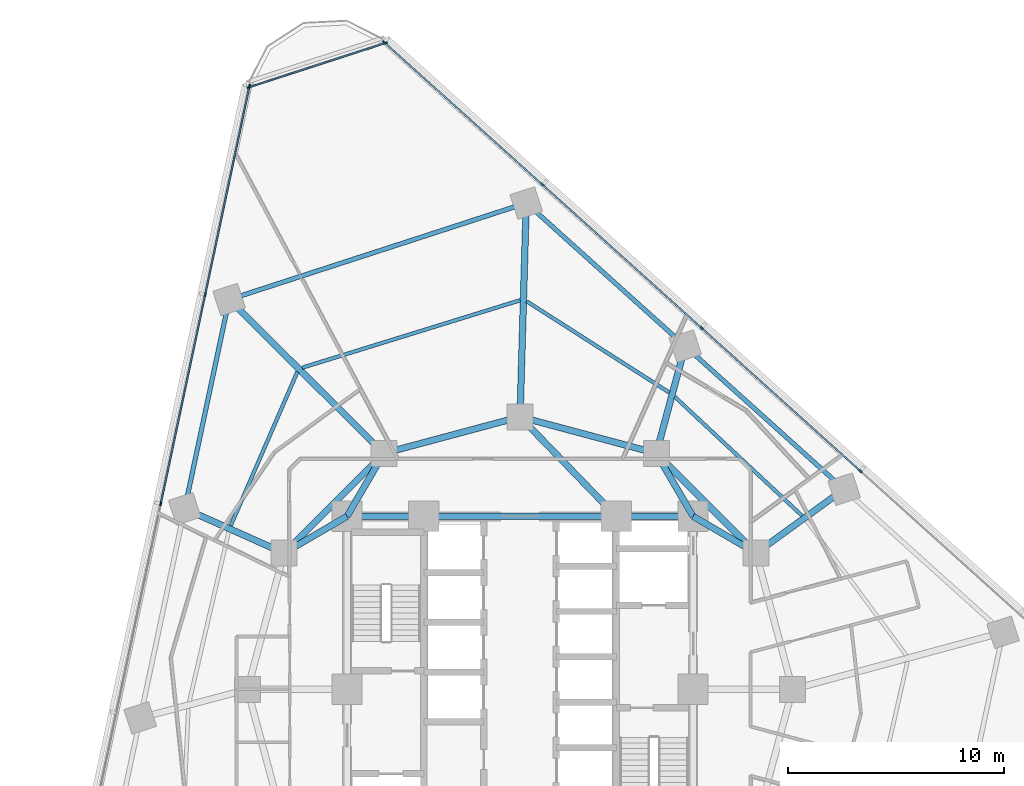
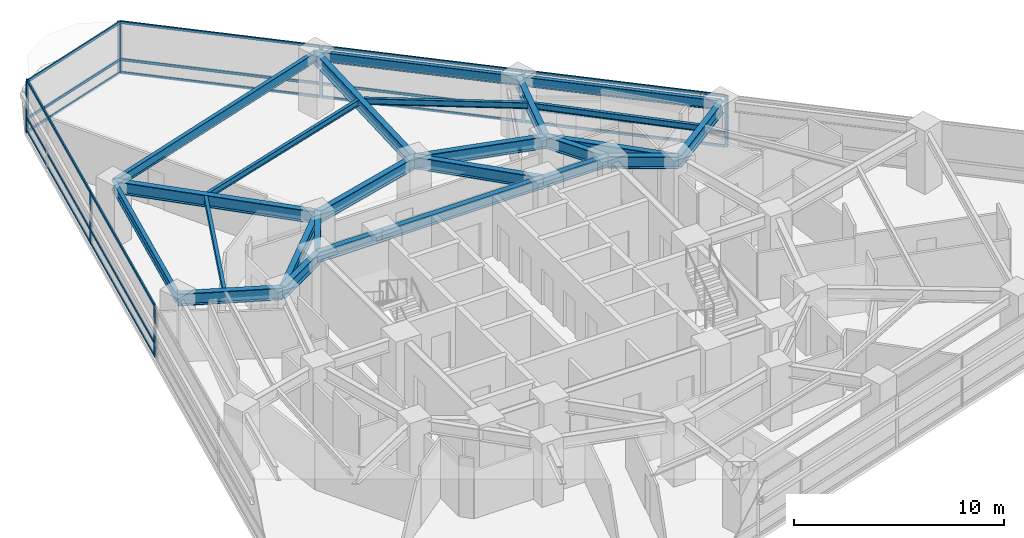
# One storey, part 5 of 13: 27 members, 25 beams, 3 elements without a shape of their own.
"""IFC4 building model written with IfcOpenShell, lengths in metres."""

import ifcopenshell
import ifcopenshell.guid

model = None  # the IFC model being written
_history = None  # IfcOwnerHistory: only IFC2X3 demands one
_inside = {}  # id of a spatial element -> (the spatial element, [elements in it])
_under = {}  # id of a project, library or spatial element -> (it, [spatial elements below it])
_declared = {}  # id of a project -> (the project, [libraries it declares])
_typed = {}  # id of a type object -> (the type object, [elements of that type])
_made_of = {}  # id of a material, layer set ... -> (it, [elements and type objects made of it])


def new_model(schema):
    """Start an empty IFC model of exactly this schema.

    Asked for "IFC4X3", IfcOpenShell would pick the latest addendum, in which some entities
    have other attributes; the version numbers below select the first issue.
    IFC2X3 requires an IfcOwnerHistory on every rooted entity: one is made here for all.
    """
    global model, _history
    if schema == "IFC4X3":
        model = ifcopenshell.file(schema_version=(4, 3, 0, 0))
    else:
        model = ifcopenshell.file(schema=schema)
    _inside.clear()
    _under.clear()
    _declared.clear()
    _typed.clear()
    _made_of.clear()
    _history = None
    if model.schema == "IFC2X3":
        org = make("IfcOrganization", Name="unknown")
        user = make(
            "IfcPersonAndOrganization",
            ThePerson=make("IfcPerson", FamilyName="unknown"),
            TheOrganization=org,
        )
        app = make(
            "IfcApplication",
            ApplicationDeveloper=org,
            Version="unknown",
            ApplicationFullName="unknown",
            ApplicationIdentifier="unknown",
        )
        _history = make(
            "IfcOwnerHistory",
            OwningUser=user,
            OwningApplication=app,
            ChangeAction="ADDED",
            CreationDate=0,
        )
    return model


def make(cls, **values):
    """One entity of the class cls with the attributes given. An attribute that is None is left unset."""
    return model.create_entity(
        cls, **{name: value for name, value in values.items() if value is not None}
    )


def rooted(cls, **values):
    """An entity with a GlobalId (a new one), such as an element, a storey or a relation."""
    return make(cls, GlobalId=ifcopenshell.guid.new(), OwnerHistory=_history, **values)


def si_unit(unit_type, name, prefix=None):
    """IfcSIUnit, for example si_unit("LENGTHUNIT", "METRE", prefix="MILLI")."""
    return make("IfcSIUnit", UnitType=unit_type, Prefix=prefix, Name=name)


def assignment(units):
    """IfcUnitAssignment: the units of a project."""
    return None if units is None else make("IfcUnitAssignment", Units=units)


def point(xyz):
    """IfcCartesianPoint."""
    return None if xyz is None else make("IfcCartesianPoint", Coordinates=xyz)


def direction(xyz):
    """IfcDirection."""
    return None if xyz is None else make("IfcDirection", DirectionRatios=xyz)


def frame(location, z_axis=None, x_axis=None):
    """IfcAxis2Placement3D, a coordinate frame: its origin and axes. An axis left out is left unset."""
    return make(
        "IfcAxis2Placement3D",
        Location=point(location),
        Axis=direction(z_axis),
        RefDirection=direction(x_axis),
    )


def frame_2d(location, x_axis=None):
    """IfcAxis2Placement2D, a coordinate frame in the plane: its origin and x axis."""
    return make(
        "IfcAxis2Placement2D", Location=point(location), RefDirection=direction(x_axis)
    )


def origin():
    """The frame at (0, 0, 0) with its axes left unset."""
    return frame((0.0, 0.0, 0.0))


def origin_2d():
    """The frame at (0, 0) in the plane with its x axis left unset."""
    return frame_2d((0.0, 0.0))


def place(relative_to, where):
    """IfcLocalPlacement: puts the frame where relative to a parent placement (None: the world)."""
    return make(
        "IfcLocalPlacement", PlacementRelTo=relative_to, RelativePlacement=where
    )


def context(
    kind, dimensions, precision=None, world=None, true_north=None, identifier=None
):
    """IfcGeometricRepresentationContext, for example the 3D "Model" context."""
    return make(
        "IfcGeometricRepresentationContext",
        ContextIdentifier=identifier,
        ContextType=kind,
        CoordinateSpaceDimension=dimensions,
        Precision=precision,
        WorldCoordinateSystem=world,
        TrueNorth=true_north,
    )


def subcontext(parent, identifier, kind, view, scale=None):
    """IfcGeometricRepresentationSubContext, for example "Body" below "Model"."""
    return make(
        "IfcGeometricRepresentationSubContext",
        ContextIdentifier=identifier,
        ContextType=kind,
        ParentContext=parent,
        TargetScale=scale,
        TargetView=view,
    )


def project(units=None, contexts=None):
    """IfcProject with its units and contexts."""
    return rooted(
        "IfcProject",
        Name="project",
        RepresentationContexts=contexts,
        UnitsInContext=assignment(units),
    )


def spatial(cls, under=None, at=None, **own):
    """A site, building, storey or space (cls), placed at a placement, below another one or the project."""
    s = rooted(cls, ObjectPlacement=at, **own)
    if under is not None:
        _under.setdefault(under.id(), (under, []))[1].append(s)
    return s


def profile(cls, at=None, kind="AREA", **sizes):
    """A parametric profile (cls). Its sizes go by their IFC names, for example OverallWidth=200.0."""
    return make(cls, ProfileType=kind, Position=at, **sizes)


def rectangle(**sizes):
    """IfcRectangleProfileDef."""
    return profile("IfcRectangleProfileDef", **sizes)


def i_section(**sizes):
    """IfcIShapeProfileDef."""
    return profile("IfcIShapeProfileDef", **sizes)


def extrude(swept, where, along, depth):
    """IfcExtrudedAreaSolid: the profile swept, set in the frame where, extruded along a direction by depth."""
    return make(
        "IfcExtrudedAreaSolid",
        SweptArea=swept,
        Position=where,
        ExtrudedDirection=direction(along),
        Depth=depth,
    )


def shape(context_of_items, identifier, shape_type, items):
    """IfcShapeRepresentation: the items that make up one representation, for example the "Body"."""
    return make(
        "IfcShapeRepresentation",
        ContextOfItems=context_of_items,
        RepresentationIdentifier=identifier,
        RepresentationType=shape_type,
        Items=items,
    )


def material(Name=None, Category=None):
    """IfcMaterial."""
    return make("IfcMaterial", Name=Name, Category=Category)


def layer(
    of_material, thickness, ventilated=None, Name=None, Category=None, Priority=None
):
    """IfcMaterialLayer: one layer of a wall or slab, of a material (None: an air gap)."""
    return make(
        "IfcMaterialLayer",
        Material=of_material,
        LayerThickness=thickness,
        IsVentilated=ventilated,
        Name=Name,
        Category=Category,
        Priority=Priority,
    )


def layer_set(layers, Name=None):
    """IfcMaterialLayerSet."""
    return make("IfcMaterialLayerSet", MaterialLayers=layers, LayerSetName=Name)


def material_profile(
    of_material, cross_section, Name=None, Category=None, Priority=None
):
    """IfcMaterialProfile: a cross section and its material."""
    return make(
        "IfcMaterialProfile",
        Name=Name,
        Material=of_material,
        Profile=cross_section,
        Priority=Priority,
        Category=Category,
    )


def profile_set(profiles, Name=None, composite=None):
    """IfcMaterialProfileSet."""
    return make(
        "IfcMaterialProfileSet",
        Name=Name,
        MaterialProfiles=profiles,
        CompositeProfile=composite,
    )


def made_of(thing, what):
    """Note that an element or type object is made of a material, layer set ...; save() writes the relation."""
    if what is not None:
        _made_of.setdefault(what.id(), (what, []))[1].append(thing)
    return thing


def type_object(cls, material=None, **own):
    """A type object (cls), such as IfcWallType, which elements share."""
    return made_of(rooted(cls, **own), material)


def element(
    cls,
    number,
    at=None,
    inside=None,
    cuts=None,
    type_object=None,
    material=None,
    context=None,
    identifier="Body",
    shape_type=None,
    held_by="IfcProductDefinitionShape",
    body=None,
    shapes=None,
    **own,
):
    """One element of the class cls, such as IfcWall. Its Tag is "e" and its number.

    at: its placement. inside: the storey or other place that contains it. cuts: it is an
    opening in that element (IfcRelVoidsElement). A single representation is given by context,
    identifier, shape_type and body (its items); several are given by shapes. held_by: the class
    of the entity that holds the representations. save() writes the other relations.
    """
    e = rooted(cls, Tag="e%d" % number, ObjectPlacement=at, **own)
    if body is not None:
        shapes = [shape(context, identifier, shape_type, body)]
    if shapes is not None:
        e.Representation = make(held_by, Representations=shapes)
    if inside is not None:
        _inside.setdefault(inside.id(), (inside, []))[1].append(e)
    if cuts is not None:
        rooted(
            "IfcRelVoidsElement", RelatingBuildingElement=cuts, RelatedOpeningElement=e
        )
    if type_object is not None:
        _typed.setdefault(type_object.id(), (type_object, []))[1].append(e)
    return made_of(e, material)


def aggregate(whole, parts):
    """IfcRelAggregates: a whole, such as a stair, and the parts it consists of."""
    return rooted("IfcRelAggregates", RelatingObject=whole, RelatedObjects=parts)


def save(model, path):
    """Write the relations noted so far, then the file.

    IfcRelAggregates (storeys below a building ...), IfcRelContainedInSpatialStructure (elements
    in a storey), IfcRelDefinesByType, IfcRelAssociatesMaterial and IfcRelDeclares: one each for
    every whole, place, type object, material and project.
    """
    for whole, parts in _under.values():
        aggregate(whole, parts)
    for where, things in _inside.values():
        rooted(
            "IfcRelContainedInSpatialStructure",
            RelatedElements=things,
            RelatingStructure=where,
        )
    for kind, things in _typed.values():
        rooted("IfcRelDefinesByType", RelatedObjects=things, RelatingType=kind)
    for what, things in _made_of.values():
        rooted("IfcRelAssociatesMaterial", RelatedObjects=things, RelatingMaterial=what)
    for by, libraries in _declared.values():
        rooted("IfcRelDeclares", RelatingContext=by, RelatedDefinitions=libraries)
    model.write(path)


model = new_model("IFC4")

# Units and contexts
model_context = context("Model", 3, precision=1e-05, world=origin(), true_north=direction((0.0, 1.0)))
body_context = subcontext(model_context, "Body", "Model", "MODEL_VIEW")
ifc_project = project(units=[si_unit("LENGTHUNIT", "METRE"), si_unit("AREAUNIT", "SQUARE_METRE"), si_unit("VOLUMEUNIT", "CUBIC_METRE"), si_unit("PLANEANGLEUNIT", "RADIAN"), si_unit("MASSUNIT", "GRAM", prefix="KILO")], contexts=[model_context])

# Site, building, storey
site_placement = place(None, origin())
site = spatial("IfcSite", under=ifc_project, at=site_placement, CompositionType="ELEMENT")
building_placement = place(site_placement, origin())
building = spatial("IfcBuilding", under=site, at=building_placement, Name="Terralouvre Media Tower", CompositionType="ELEMENT")
storey_placement = place(building_placement, frame((0.0, 0.0, 105.10009765625)))
storey = spatial("IfcBuildingStorey", under=building, at=storey_placement, Name="L26", CompositionType="ELEMENT", Elevation=105.10009765625)

# Beams
ifc_material_1 = material(Name="Structural steel S355J2", Category="steel")
ifc_material_profile_1 = material_profile(ifc_material_1, i_section(OverallWidth=0.169921875, OverallDepth=0.360107421875, WebThickness=0.008056640625, FlangeThickness=0.0126953125, at=origin_2d()), Name="IPE 360")
ifc_profile_set_1 = profile_set([ifc_material_profile_1], Name="Structural steel S355J2")
beam_type_1 = type_object("IfcBeamType", Name="Composite Floor Joist J-IPE360 (IPE 360)", PredefinedType="JOIST", material=ifc_profile_set_1)
beam_1_placement = place(storey_placement, frame((13.041259765625, 8.02685546875, 3.31982421875), z_axis=(-0.730741620607, 0.682654146631, 0.0), x_axis=(-0.682654146631, -0.730741620607, 0.0)))
element("IfcBeam", 1, at=beam_1_placement, inside=storey, type_object=beam_type_1, Name="L26 Framing Beam JT-L26-08", PredefinedType="JOIST", context=body_context, shape_type="SweptSolid", body=[
    extrude(i_section(OverallWidth=0.169921875, OverallDepth=0.360107421875, WebThickness=0.008056640625, FlangeThickness=0.0126953125, at=origin_2d()), origin(), (0.0, 0.0, 1.0), 8.05224609375),
])
beam_2_placement = place(storey_placement, frame((6.90380859375, 13.721923828125, 3.31982421875), z_axis=(-0.842395313358, 0.538860033805, 0.0), x_axis=(-0.538860033805, -0.842395313358, 0.0)))
element("IfcBeam", 2, at=beam_2_placement, inside=storey, type_object=beam_type_1, Name="L26 Framing Beam JT-L26-09", PredefinedType="JOIST", context=body_context, shape_type="SweptSolid", body=[
    extrude(i_section(OverallWidth=0.169921875, OverallDepth=0.360107421875, WebThickness=0.008056640625, FlangeThickness=0.0126953125, at=origin_2d()), origin(), (0.0, 0.0, 1.0), 7.8349609375),
])
beam_3_placement = place(storey_placement, frame((0.008544921875, 17.99072265625, 3.31982421875), z_axis=(-0.955322607301, -0.295565079095, 0.0), x_axis=(0.295565079095, -0.955322607301, 0.0)))
element("IfcBeam", 3, at=beam_3_placement, inside=storey, type_object=beam_type_1, Name="L26 Framing Beam JT-L26-10", PredefinedType="JOIST", context=body_context, shape_type="SweptSolid", body=[
    extrude(i_section(OverallWidth=0.169921875, OverallDepth=0.360107421875, WebThickness=0.008056640625, FlangeThickness=0.0126953125, at=origin_2d()), origin(), (0.0, 0.0, 1.0), 10.551513671875),
])
beam_4_placement = place(storey_placement, frame((-10.295166015625, 14.676513671875, 3.31982421875), z_axis=(-0.3977895236, -0.91747669993, 0.0), x_axis=(0.91747669993, -0.3977895236, 0.0)))
element("IfcBeam", 4, at=beam_4_placement, inside=storey, type_object=beam_type_1, Name="L26 Framing Beam JT-L26-11", PredefinedType="JOIST", context=body_context, shape_type="SweptSolid", body=[
    extrude(i_section(OverallWidth=0.169921875, OverallDepth=0.360107421875, WebThickness=0.008056640625, FlangeThickness=0.0126953125, at=origin_2d()), origin(), (0.0, 0.0, 1.0), 7.7509765625),
])

# Curtain wall, members
ifc_material_2 = material(Name="Low-iron laminated double glazing with solar-control coating", Category="glass")
ifc_layer_1 = layer(ifc_material_2, 0.1650390625, Name="Lower Media Tower Unitised Curtain Wall CW-02")
ifc_layer_set_1 = layer_set([ifc_layer_1], Name="Low-iron laminated double glazing with solar-control coating")
curtain_wall_type_1 = type_object("IfcCurtainWallType", Name="Lower Media Tower Unitised Curtain Wall CW-02", PredefinedType="NOTDEFINED", material=ifc_layer_set_1)
curtain_wall_1_placement = place(storey_placement, origin())
curtain_wall_1 = element("IfcCurtainWall", 5, at=curtain_wall_1_placement, inside=storey, type_object=curtain_wall_type_1, Name="L26 Facade Curtain Wall F1", PredefinedType="NOTDEFINED")
ifc_material_3 = material(Name="Anodised extruded aluminium 6063-T6", Category="aluminium")
ifc_material_profile_2 = material_profile(ifc_material_3, rectangle(XDim=0.074951171875, YDim=0.14990234375, at=origin_2d()), Name="ALU 75x150")
ifc_profile_set_2 = profile_set([ifc_material_profile_2], Name="Anodised extruded aluminium 6063-T6")
member_type_1 = type_object("IfcMemberType", Name="Curtain-Wall Horizontal Transom TR-150", PredefinedType="USERDEFINED", material=ifc_profile_set_2)
member_1_placement = place(storey_placement, frame((15.712158203125, 10.117431640625, 0.037353515625), z_axis=(-0.743145676677, 0.669129661005, 0.0), x_axis=(-0.669129661005, -0.743145676677, 0.0)))
member_1 = element("IfcMember", 6, at=member_1_placement, type_object=member_type_1, Name="CW-02 transom 3.1", ObjectType="TRANSOM", PredefinedType="USERDEFINED", context=body_context, shape_type="SweptSolid", body=[
    extrude(rectangle(XDim=0.074951171875, YDim=0.14990234375, at=origin_2d()), origin(), (0.0, 0.0, 1.0), 9.81298828125),
])
member_2_placement = place(storey_placement, frame((15.712158203125, 10.117431640625, 0.7998046875), z_axis=(-0.743145676677, 0.669129661005, 0.0), x_axis=(-0.669129661005, -0.743145676677, 0.0)))
member_2 = element("IfcMember", 7, at=member_2_placement, type_object=member_type_1, Name="CW-02 transom 3.2", ObjectType="TRANSOM", PredefinedType="USERDEFINED", context=body_context, shape_type="SweptSolid", body=[
    extrude(rectangle(XDim=0.074951171875, YDim=0.14990234375, at=origin_2d()), origin(), (0.0, 0.0, 1.0), 9.81298828125),
])
member_3_placement = place(storey_placement, frame((15.712158203125, 10.117431640625, 2.96240234375), z_axis=(-0.743145676677, 0.669129661005, 0.0), x_axis=(-0.669129661005, -0.743145676677, 0.0)))
member_3 = element("IfcMember", 8, at=member_3_placement, type_object=member_type_1, Name="CW-02 transom 3.3", ObjectType="TRANSOM", PredefinedType="USERDEFINED", context=body_context, shape_type="SweptSolid", body=[
    extrude(rectangle(XDim=0.074951171875, YDim=0.14990234375, at=origin_2d()), origin(), (0.0, 0.0, 1.0), 9.81298828125),
])
member_4_placement = place(storey_placement, frame((8.36376953125, 16.733642578125, 0.037353515625), z_axis=(-0.743145676677, 0.669129661005, 0.0), x_axis=(-0.669129661005, -0.743145676677, 0.0)))
member_4 = element("IfcMember", 9, at=member_4_placement, type_object=member_type_1, Name="CW-02 transom 4.1", ObjectType="TRANSOM", PredefinedType="USERDEFINED", context=body_context, shape_type="SweptSolid", body=[
    extrude(rectangle(XDim=0.074951171875, YDim=0.14990234375, at=origin_2d()), origin(), (0.0, 0.0, 1.0), 9.81298828125),
])
member_5_placement = place(storey_placement, frame((8.36376953125, 16.733642578125, 0.7998046875), z_axis=(-0.743145676677, 0.669129661005, 0.0), x_axis=(-0.669129661005, -0.743145676677, 0.0)))
member_5 = element("IfcMember", 10, at=member_5_placement, type_object=member_type_1, Name="CW-02 transom 4.2", ObjectType="TRANSOM", PredefinedType="USERDEFINED", context=body_context, shape_type="SweptSolid", body=[
    extrude(rectangle(XDim=0.074951171875, YDim=0.14990234375, at=origin_2d()), origin(), (0.0, 0.0, 1.0), 9.81298828125),
])
member_6_placement = place(storey_placement, frame((8.36376953125, 16.733642578125, 2.96240234375), z_axis=(-0.743145676677, 0.669129661005, 0.0), x_axis=(-0.669129661005, -0.743145676677, 0.0)))
member_6 = element("IfcMember", 11, at=member_6_placement, type_object=member_type_1, Name="CW-02 transom 4.3", ObjectType="TRANSOM", PredefinedType="USERDEFINED", context=body_context, shape_type="SweptSolid", body=[
    extrude(rectangle(XDim=0.074951171875, YDim=0.14990234375, at=origin_2d()), origin(), (0.0, 0.0, 1.0), 9.81298828125),
])
member_7_placement = place(storey_placement, frame((1.015625, 23.35009765625, 0.037353515625), z_axis=(-0.743150075485, 0.669124775588, 0.0), x_axis=(-0.669124775588, -0.743150075485, 0.0)))
member_7 = element("IfcMember", 12, at=member_7_placement, type_object=member_type_1, Name="CW-02 transom 5.1", ObjectType="TRANSOM", PredefinedType="USERDEFINED", context=body_context, shape_type="SweptSolid", body=[
    extrude(rectangle(XDim=0.074951171875, YDim=0.14990234375, at=origin_2d()), origin(), (0.0, 0.0, 1.0), 9.775390625),
])
member_8_placement = place(storey_placement, frame((1.015625, 23.35009765625, 0.7998046875), z_axis=(-0.743150075485, 0.669124775588, 0.0), x_axis=(-0.669124775588, -0.743150075485, 0.0)))
member_8 = element("IfcMember", 13, at=member_8_placement, type_object=member_type_1, Name="CW-02 transom 5.2", ObjectType="TRANSOM", PredefinedType="USERDEFINED", context=body_context, shape_type="SweptSolid", body=[
    extrude(rectangle(XDim=0.074951171875, YDim=0.14990234375, at=origin_2d()), origin(), (0.0, 0.0, 1.0), 9.775390625),
])
member_9_placement = place(storey_placement, frame((1.015625, 23.35009765625, 2.96240234375), z_axis=(-0.743150075485, 0.669124775588, 0.0), x_axis=(-0.669124775588, -0.743150075485, 0.0)))
member_9 = element("IfcMember", 14, at=member_9_placement, type_object=member_type_1, Name="CW-02 transom 5.3", ObjectType="TRANSOM", PredefinedType="USERDEFINED", context=body_context, shape_type="SweptSolid", body=[
    extrude(rectangle(XDim=0.074951171875, YDim=0.14990234375, at=origin_2d()), origin(), (0.0, 0.0, 1.0), 9.775390625),
])

curtain_wall_2_placement = place(storey_placement, origin())
curtain_wall_2 = element("IfcCurtainWall", 15, at=curtain_wall_2_placement, inside=storey, type_object=curtain_wall_type_1, Name="L26 Facade Curtain Wall F2", PredefinedType="NOTDEFINED")
member_10_placement = place(storey_placement, frame((-12.51416015625, 27.85546875, 0.037353515625), z_axis=(-0.207917001862, -0.978146471821, 0.0), x_axis=(0.978146471821, -0.207917001862, 0.0)))
member_10 = element("IfcMember", 16, at=member_10_placement, type_object=member_type_1, Name="CW-02 transom 1.1", ObjectType="TRANSOM", PredefinedType="USERDEFINED", context=body_context, shape_type="SweptSolid", body=[
    extrude(rectangle(XDim=0.074951171875, YDim=0.14990234375, at=origin_2d()), origin(), (0.0, 0.0, 1.0), 9.775390625),
])
member_11_placement = place(storey_placement, frame((-12.51416015625, 27.85546875, 0.7998046875), z_axis=(-0.207917001862, -0.978146471821, 0.0), x_axis=(0.978146471821, -0.207917001862, 0.0)))
member_11 = element("IfcMember", 17, at=member_11_placement, type_object=member_type_1, Name="CW-02 transom 1.2", ObjectType="TRANSOM", PredefinedType="USERDEFINED", context=body_context, shape_type="SweptSolid", body=[
    extrude(rectangle(XDim=0.074951171875, YDim=0.14990234375, at=origin_2d()), origin(), (0.0, 0.0, 1.0), 9.775390625),
])
member_12_placement = place(storey_placement, frame((-12.51416015625, 27.85546875, 2.96240234375), z_axis=(-0.207917001862, -0.978146471821, 0.0), x_axis=(0.978146471821, -0.207917001862, 0.0)))
member_12 = element("IfcMember", 18, at=member_12_placement, type_object=member_type_1, Name="CW-02 transom 1.3", ObjectType="TRANSOM", PredefinedType="USERDEFINED", context=body_context, shape_type="SweptSolid", body=[
    extrude(rectangle(XDim=0.074951171875, YDim=0.14990234375, at=origin_2d()), origin(), (0.0, 0.0, 1.0), 9.775390625),
])
member_13_placement = place(storey_placement, frame((-14.56201171875, 18.22021484375, 0.037353515625), z_axis=(-0.207919755159, -0.97814588657, 0.0), x_axis=(0.97814588657, -0.207919755159, 0.0)))
member_13 = element("IfcMember", 19, at=member_13_placement, type_object=member_type_1, Name="CW-02 transom 2.1", ObjectType="TRANSOM", PredefinedType="USERDEFINED", context=body_context, shape_type="SweptSolid", body=[
    extrude(rectangle(XDim=0.074951171875, YDim=0.14990234375, at=origin_2d()), origin(), (0.0, 0.0, 1.0), 9.812744140625),
])
member_14_placement = place(storey_placement, frame((-14.56201171875, 18.22021484375, 0.7998046875), z_axis=(-0.207919755159, -0.97814588657, 0.0), x_axis=(0.97814588657, -0.207919755159, 0.0)))
member_14 = element("IfcMember", 20, at=member_14_placement, type_object=member_type_1, Name="CW-02 transom 2.2", ObjectType="TRANSOM", PredefinedType="USERDEFINED", context=body_context, shape_type="SweptSolid", body=[
    extrude(rectangle(XDim=0.074951171875, YDim=0.14990234375, at=origin_2d()), origin(), (0.0, 0.0, 1.0), 9.812744140625),
])
member_15_placement = place(storey_placement, frame((-14.56201171875, 18.22021484375, 2.96240234375), z_axis=(-0.207919755159, -0.97814588657, 0.0), x_axis=(0.97814588657, -0.207919755159, 0.0)))
member_15 = element("IfcMember", 21, at=member_15_placement, type_object=member_type_1, Name="CW-02 transom 2.3", ObjectType="TRANSOM", PredefinedType="USERDEFINED", context=body_context, shape_type="SweptSolid", body=[
    extrude(rectangle(XDim=0.074951171875, YDim=0.14990234375, at=origin_2d()), origin(), (0.0, 0.0, 1.0), 9.812744140625),
])

ifc_material_4 = material(Name="Low-iron laminated double glazing with solar-control coating", Category="glass")
ifc_layer_2 = layer(ifc_material_4, 0.1650390625, Name="Rounded Wind-Corner Curved Glazing CW-04")
ifc_layer_set_2 = layer_set([ifc_layer_2], Name="Low-iron laminated double glazing with solar-control coating")
curtain_wall_type_2 = type_object("IfcCurtainWallType", Name="Rounded Wind-Corner Curved Glazing CW-04", PredefinedType="NOTDEFINED", material=ifc_layer_set_2)
curtain_wall_3_placement = place(storey_placement, origin())
curtain_wall_3 = element("IfcCurtainWall", 22, at=curtain_wall_3_placement, inside=storey, type_object=curtain_wall_type_2, Name="L26 Rounded Wind-Corner Curtain Wall C2", PredefinedType="NOTDEFINED")
member_16_placement = place(storey_placement, frame((-6.25244140625, 29.874267578125, 0.037353515625), z_axis=(-0.951049086089, -0.309039861262, 0.0), x_axis=(0.309039861262, -0.951049086089, 0.0)))
member_16 = element("IfcMember", 23, at=member_16_placement, type_object=member_type_1, Name="CW-04 transom 1.1", ObjectType="TRANSOM", PredefinedType="USERDEFINED", context=body_context, shape_type="SweptSolid", body=[
    extrude(rectangle(XDim=0.074951171875, YDim=0.14990234375, at=origin_2d()), origin(), (0.0, 0.0, 1.0), 6.5703125),
])
member_17_placement = place(storey_placement, frame((-6.25244140625, 29.874267578125, 0.7998046875), z_axis=(-0.951049086089, -0.309039861262, 0.0), x_axis=(0.309039861262, -0.951049086089, 0.0)))
member_17 = element("IfcMember", 24, at=member_17_placement, type_object=member_type_1, Name="CW-04 transom 1.2", ObjectType="TRANSOM", PredefinedType="USERDEFINED", context=body_context, shape_type="SweptSolid", body=[
    extrude(rectangle(XDim=0.074951171875, YDim=0.14990234375, at=origin_2d()), origin(), (0.0, 0.0, 1.0), 6.5703125),
])
member_18_placement = place(storey_placement, frame((-6.25244140625, 29.874267578125, 2.96240234375), z_axis=(-0.951049086089, -0.309039861262, 0.0), x_axis=(0.309039861262, -0.951049086089, 0.0)))
member_18 = element("IfcMember", 25, at=member_18_placement, type_object=member_type_1, Name="CW-04 transom 1.3", ObjectType="TRANSOM", PredefinedType="USERDEFINED", context=body_context, shape_type="SweptSolid", body=[
    extrude(rectangle(XDim=0.074951171875, YDim=0.14990234375, at=origin_2d()), origin(), (0.0, 0.0, 1.0), 6.5703125),
])

# Member
ifc_material_5 = material(Name="Anodised extruded aluminium 6063-T6", Category="aluminium")
ifc_material_profile_3 = material_profile(ifc_material_5, rectangle(XDim=0.074951171875, YDim=0.179931640625, at=origin_2d()), Name="ALU 75x180")
ifc_profile_set_3 = profile_set([ifc_material_profile_3], Name="Anodised extruded aluminium 6063-T6")
member_type_2 = type_object("IfcMemberType", Name="Curtain-Wall Vertical Mullion ML-180", PredefinedType="MULLION", material=ifc_profile_set_3)
member_19_placement = place(storey_placement, frame((15.739990234375, 10.09228515625, 0.0), z_axis=(0.0, 0.0, 1.0), x_axis=(-0.669130639602, -0.743144795545, 0.0)))
member_19 = element("IfcMember", 26, at=member_19_placement, type_object=member_type_2, Name="CW-02 mullion 3", PredefinedType="MULLION", context=body_context, shape_type="SweptSolid", body=[
    extrude(rectangle(XDim=0.074951171875, YDim=0.179931640625, at=origin_2d()), origin(), (0.0, 0.0, 1.0), 3.0),
])

member_20_placement = place(storey_placement, frame((8.3916015625, 16.708740234375, 0.0), z_axis=(0.0, 0.0, 1.0), x_axis=(-0.669130639602, -0.743144795545, 0.0)))
member_20 = element("IfcMember", 27, at=member_20_placement, type_object=member_type_2, Name="CW-02 mullion 4", PredefinedType="MULLION", context=body_context, shape_type="SweptSolid", body=[
    extrude(rectangle(XDim=0.074951171875, YDim=0.179931640625, at=origin_2d()), origin(), (0.0, 0.0, 1.0), 3.0),
])

member_21_placement = place(storey_placement, frame((1.04345703125, 23.324951171875, 0.0), z_axis=(0.0, 0.0, 1.0), x_axis=(-0.669130639602, -0.743144795545, 0.0)))
member_21 = element("IfcMember", 28, at=member_21_placement, type_object=member_type_2, Name="CW-02 mullion 5", PredefinedType="MULLION", context=body_context, shape_type="SweptSolid", body=[
    extrude(rectangle(XDim=0.074951171875, YDim=0.179931640625, at=origin_2d()), origin(), (0.0, 0.0, 1.0), 3.0),
])

member_22_placement = place(storey_placement, frame((-6.27685546875, 29.916259765625, 0.0), z_axis=(0.0, 0.0, 1.0), x_axis=(-0.669130639602, -0.743144795545, 0.0)))
member_22 = element("IfcMember", 29, at=member_22_placement, type_object=member_type_2, Name="CW-02 mullion 6", PredefinedType="MULLION", context=body_context, shape_type="SweptSolid", body=[
    extrude(rectangle(XDim=0.074951171875, YDim=0.179931640625, at=origin_2d()), origin(), (0.0, 0.0, 1.0), 3.0),
])

aggregate(curtain_wall_1, [member_19, member_20, member_21, member_22, member_1, member_2, member_3, member_4, member_5, member_6, member_7, member_8, member_9])

member_23_placement = place(storey_placement, frame((-12.50634765625, 27.89208984375, 0.0), z_axis=(0.0, 0.0, 1.0), x_axis=(0.978147610709, -0.207911643887, 0.0)))
member_23 = element("IfcMember", 30, at=member_23_placement, type_object=member_type_2, Name="CW-02 mullion 1", PredefinedType="MULLION", context=body_context, shape_type="SweptSolid", body=[
    extrude(rectangle(XDim=0.074951171875, YDim=0.179931640625, at=origin_2d()), origin(), (0.0, 0.0, 1.0), 3.0),
])

member_24_placement = place(storey_placement, frame((-14.55419921875, 18.257080078125, 0.0), z_axis=(0.0, 0.0, 1.0), x_axis=(0.978147610709, -0.207911643887, 0.0)))
member_24 = element("IfcMember", 31, at=member_24_placement, type_object=member_type_2, Name="CW-02 mullion 2", PredefinedType="MULLION", context=body_context, shape_type="SweptSolid", body=[
    extrude(rectangle(XDim=0.074951171875, YDim=0.179931640625, at=origin_2d()), origin(), (0.0, 0.0, 1.0), 3.0),
])

member_25_placement = place(storey_placement, frame((-16.610107421875, 8.5849609375, 0.0), z_axis=(0.0, 0.0, 1.0), x_axis=(0.978147610709, -0.207911643887, 0.0)))
member_25 = element("IfcMember", 32, at=member_25_placement, type_object=member_type_2, Name="CW-02 mullion 3", PredefinedType="MULLION", context=body_context, shape_type="SweptSolid", body=[
    extrude(rectangle(XDim=0.074951171875, YDim=0.179931640625, at=origin_2d()), origin(), (0.0, 0.0, 1.0), 3.0),
])

aggregate(curtain_wall_2, [member_23, member_24, member_25, member_10, member_11, member_12, member_13, member_14, member_15])

member_26_placement = place(storey_placement, frame((-6.216796875, 29.8857421875, 0.0), z_axis=(0.0, 0.0, 1.0), x_axis=(0.309017701894, -0.951056286408, 0.0)))
member_26 = element("IfcMember", 33, at=member_26_placement, type_object=member_type_2, Name="CW-04 mullion 1", PredefinedType="MULLION", context=body_context, shape_type="SweptSolid", body=[
    extrude(rectangle(XDim=0.074951171875, YDim=0.179931640625, at=origin_2d()), origin(), (0.0, 0.0, 1.0), 3.0),
])

member_27_placement = place(storey_placement, frame((-12.536865234375, 27.832275390625, 0.0), z_axis=(0.0, 0.0, 1.0), x_axis=(0.309017701894, -0.951056286408, 0.0)))
member_27 = element("IfcMember", 34, at=member_27_placement, type_object=member_type_2, Name="CW-04 mullion 2", PredefinedType="MULLION", context=body_context, shape_type="SweptSolid", body=[
    extrude(rectangle(XDim=0.074951171875, YDim=0.179931640625, at=origin_2d()), origin(), (0.0, 0.0, 1.0), 3.0),
])

aggregate(curtain_wall_3, [member_26, member_27, member_16, member_17, member_18])

# Beams
ifc_material_6 = material(Name="Structural steel S355J2", Category="steel")
ifc_material_profile_4 = material_profile(ifc_material_6, i_section(OverallWidth=0.2099609375, OverallDepth=0.550048828125, WebThickness=0.010986328125, FlangeThickness=0.01708984375, at=origin_2d()), Name="IPE 550")
ifc_profile_set_4 = profile_set([ifc_material_profile_4], Name="Structural steel S355J2")
beam_type_2 = type_object("IfcBeamType", Name="Perimeter Spandrel Beam SPB-550 (IPE 550)", PredefinedType="SPANDREL", material=ifc_profile_set_4)
beam_5_placement = place(storey_placement, frame((14.98388671875, 9.25244140625, 3.224853515625), z_axis=(-0.743148033922, 0.669127043002, 0.0), x_axis=(-0.669127043002, -0.743148033922, 0.0)))
element("IfcBeam", 35, at=beam_5_placement, inside=storey, type_object=beam_type_2, Name="L26 Framing Beam BM-L26-PR08", PredefinedType="SPANDREL", context=body_context, shape_type="SweptSolid", body=[
    extrude(i_section(OverallWidth=0.2099609375, OverallDepth=0.550048828125, WebThickness=0.010986328125, FlangeThickness=0.01708984375, at=origin_2d()), origin(), (0.0, 0.0, 1.0), 9.88818359375),
])
beam_6_placement = place(storey_placement, frame((7.635498046875, 15.868896484375, 3.224853515625), z_axis=(-0.743136979084, 0.669139320558, 0.0), x_axis=(-0.669139320558, -0.743136979084, 0.0)))
element("IfcBeam", 36, at=beam_6_placement, inside=storey, type_object=beam_type_2, Name="L26 Framing Beam BM-L26-PR09", PredefinedType="SPANDREL", context=body_context, shape_type="SweptSolid", body=[
    extrude(i_section(OverallWidth=0.2099609375, OverallDepth=0.550048828125, WebThickness=0.010986328125, FlangeThickness=0.01708984375, at=origin_2d()), origin(), (0.0, 0.0, 1.0), 9.887939453125),
])
beam_7_placement = place(storey_placement, frame((0.287353515625, 22.4853515625, 3.224853515625), z_axis=(-0.951052948313, -0.309027975278, 0.0), x_axis=(0.309027975278, -0.951052948313, 0.0)))
element("IfcBeam", 37, at=beam_7_placement, inside=storey, type_object=beam_type_2, Name="L26 Framing Beam BM-L26-PR10", PredefinedType="SPANDREL", context=body_context, shape_type="SweptSolid", body=[
    extrude(i_section(OverallWidth=0.2099609375, OverallDepth=0.550048828125, WebThickness=0.010986328125, FlangeThickness=0.01708984375, at=origin_2d()), origin(), (0.0, 0.0, 1.0), 14.443359375),
])
beam_8_placement = place(storey_placement, frame((-13.448974609375, 18.02197265625, 3.224853515625), z_axis=(-0.207920177572, -0.97814579678, 0.0), x_axis=(0.97814579678, -0.207920177572, 0.0)))
element("IfcBeam", 38, at=beam_8_placement, inside=storey, type_object=beam_type_2, Name="L26 Framing Beam BM-L26-PR11", PredefinedType="SPANDREL", context=body_context, shape_type="SweptSolid", body=[
    extrude(i_section(OverallWidth=0.2099609375, OverallDepth=0.550048828125, WebThickness=0.010986328125, FlangeThickness=0.01708984375, at=origin_2d()), origin(), (0.0, 0.0, 1.0), 9.887939453125),
])
ifc_material_7 = material(Name="Structural steel S460M", Category="steel")
ifc_material_profile_5 = material_profile(ifc_material_7, i_section(OverallWidth=0.300048828125, OverallDepth=0.60009765625, WebThickness=0.015380859375, FlangeThickness=0.030029296875, at=origin_2d()), Name="HEB 600")
ifc_profile_set_5 = profile_set([ifc_material_profile_5], Name="Structural steel S460M")
beam_type_3 = type_object("IfcBeamType", Name="Primary Floor Girder B-HEB600 (HEB 600)", PredefinedType="BEAM", material=ifc_profile_set_5)
beam_9_placement = place(storey_placement, frame((8.0, 8.0, 3.199951171875), z_axis=(-1.0, 0.0, 0.0), x_axis=(0.0, -1.0, 0.0)))
element("IfcBeam", 39, at=beam_9_placement, inside=storey, type_object=beam_type_3, Name="L26 Framing Beam BM-L26-CPR06", PredefinedType="BEAM", context=body_context, shape_type="SweptSolid", body=[
    extrude(i_section(OverallWidth=0.300048828125, OverallDepth=0.60009765625, WebThickness=0.015380859375, FlangeThickness=0.030029296875, at=origin_2d()), origin(), (0.0, 0.0, 1.0), 3.550048828125),
])
beam_10_placement = place(storey_placement, frame((4.449951171875, 8.0, 3.199951171875), z_axis=(-1.0, 0.0, 0.0), x_axis=(0.0, -1.0, 0.0)))
element("IfcBeam", 40, at=beam_10_placement, inside=storey, type_object=beam_type_3, Name="L26 Framing Beam BM-L26-CPR07", PredefinedType="BEAM", context=body_context, shape_type="SweptSolid", body=[
    extrude(i_section(OverallWidth=0.300048828125, OverallDepth=0.60009765625, WebThickness=0.015380859375, FlangeThickness=0.030029296875, at=origin_2d()), origin(), (0.0, 0.0, 1.0), 8.89990234375),
])
beam_11_placement = place(storey_placement, frame((-4.449951171875, 8.0, 3.199951171875), z_axis=(-1.0, 0.0, 0.0), x_axis=(0.0, -1.0, 0.0)))
element("IfcBeam", 41, at=beam_11_placement, inside=storey, type_object=beam_type_3, Name="L26 Framing Beam BM-L26-CPR08", PredefinedType="BEAM", context=body_context, shape_type="SweptSolid", body=[
    extrude(i_section(OverallWidth=0.300048828125, OverallDepth=0.60009765625, WebThickness=0.015380859375, FlangeThickness=0.030029296875, at=origin_2d()), origin(), (0.0, 0.0, 1.0), 3.550048828125),
])
ifc_material_8 = material(Name="Structural steel S460M", Category="steel")
ifc_material_profile_6 = material_profile(ifc_material_8, i_section(OverallWidth=0.300048828125, OverallDepth=0.699951171875, WebThickness=0.01708984375, FlangeThickness=0.031982421875, at=origin_2d()), Name="HEB 700")
ifc_profile_set_6 = profile_set([ifc_material_profile_6], Name="Structural steel S460M")
beam_type_4 = type_object("IfcBeamType", Name="Primary Floor Girder B-HEB700 (HEB 700)", PredefinedType="BEAM", material=ifc_profile_set_6)
beam_12_placement = place(storey_placement, frame((10.911865234375, 6.300048828125, 3.14990234375), z_axis=(-0.707106781187, 0.707106781187, 0.0), x_axis=(-0.707106781187, -0.707106781187, 0.0)))
element("IfcBeam", 42, at=beam_12_placement, inside=storey, type_object=beam_type_4, Name="L26 Framing Beam BM-L26-MR07", PredefinedType="BEAM", context=body_context, shape_type="SweptSolid", body=[
    extrude(i_section(OverallWidth=0.300048828125, OverallDepth=0.699951171875, WebThickness=0.01708984375, FlangeThickness=0.031982421875, at=origin_2d()), origin(), (0.0, 0.0, 1.0), 6.52197265625),
])
for number, where, z_axis, x_axis, name in (
    (43, (6.300048828125, 10.911865234375, 3.14990234375), (-0.965920481897, 0.258838989821, 0.0), (-0.258838989821, -0.965920481897, 0.0), "L26 Framing Beam BM-L26-MR08"),
    (44, (0.0, 12.60009765625, 3.14990234375), (-0.965920481897, -0.258838989821, 0.0), (0.258838989821, -0.965920481897, 0.0), "L26 Framing Beam BM-L26-MR09"),
):
    element("IfcBeam", number, at=place(storey_placement, frame(where, z_axis=z_axis, x_axis=x_axis)), inside=storey, type_object=beam_type_4, Name=name, PredefinedType="BEAM", context=body_context, shape_type="SweptSolid", body=[
        extrude(i_section(OverallWidth=0.300048828125, OverallDepth=0.699951171875, WebThickness=0.01708984375, FlangeThickness=0.031982421875, at=origin_2d()), origin(), (0.0, 0.0, 1.0), 6.522216796875),
    ])
beam_13_placement = place(storey_placement, frame((-6.300048828125, 10.911865234375, 3.14990234375), z_axis=(-0.707106781187, -0.707106781187, 0.0), x_axis=(0.707106781187, -0.707106781187, 0.0)))
element("IfcBeam", 45, at=beam_13_placement, inside=storey, type_object=beam_type_4, Name="L26 Framing Beam BM-L26-MR10", PredefinedType="BEAM", context=body_context, shape_type="SweptSolid", body=[
    extrude(i_section(OverallWidth=0.300048828125, OverallDepth=0.699951171875, WebThickness=0.01708984375, FlangeThickness=0.031982421875, at=origin_2d()), origin(), (0.0, 0.0, 1.0), 6.52197265625),
])
for number, where, z_axis, x_axis, name in (
    (46, (8.0, 8.0, 3.14990234375), (0.863602894532, -0.504172629717, 0.0), (0.504172629717, 0.863602894532, 0.0), "L26 Framing Beam BM-L26-CM07"),
    (47, (8.0, 8.0, 3.14990234375), (-0.504172629717, 0.863602894532, 0.0), (-0.863602894532, -0.504172629717, 0.0), "L26 Framing Beam BM-L26-CM08"),
):
    element("IfcBeam", number, at=place(storey_placement, frame(where, z_axis=z_axis, x_axis=x_axis)), inside=storey, type_object=beam_type_4, Name=name, PredefinedType="BEAM", context=body_context, shape_type="SweptSolid", body=[
        extrude(i_section(OverallWidth=0.300048828125, OverallDepth=0.699951171875, WebThickness=0.01708984375, FlangeThickness=0.031982421875, at=origin_2d()), origin(), (0.0, 0.0, 1.0), 3.371826171875),
    ])
beam_14_placement = place(storey_placement, frame((4.449951171875, 8.0, 3.14990234375), z_axis=(-0.695279715726, 0.718739255155, 0.0), x_axis=(-0.718739255155, -0.695279715726, 0.0)))
element("IfcBeam", 48, at=beam_14_placement, inside=storey, type_object=beam_type_4, Name="L26 Framing Beam BM-L26-CM09", PredefinedType="BEAM", context=body_context, shape_type="SweptSolid", body=[
    extrude(i_section(OverallWidth=0.300048828125, OverallDepth=0.699951171875, WebThickness=0.01708984375, FlangeThickness=0.031982421875, at=origin_2d()), origin(), (0.0, 0.0, 1.0), 6.400146484375),
])
for number, where, z_axis, x_axis, name in (
    (49, (-8.0, 8.0, 3.14990234375), (0.504172629717, 0.863602894532, 0.0), (-0.863602894532, 0.504172629717, 0.0), "L26 Framing Beam BM-L26-CM10"),
    (50, (-8.0, 8.0, 3.14990234375), (-0.863602894532, -0.504172629717, 0.0), (0.504172629717, -0.863602894532, 0.0), "L26 Framing Beam BM-L26-CM11"),
):
    element("IfcBeam", number, at=place(storey_placement, frame(where, z_axis=z_axis, x_axis=x_axis)), inside=storey, type_object=beam_type_4, Name=name, PredefinedType="BEAM", context=body_context, shape_type="SweptSolid", body=[
        extrude(i_section(OverallWidth=0.300048828125, OverallDepth=0.699951171875, WebThickness=0.01708984375, FlangeThickness=0.031982421875, at=origin_2d()), origin(), (0.0, 0.0, 1.0), 3.371826171875),
    ])
beam_15_placement = place(storey_placement, frame((10.911865234375, 6.300048828125, 3.14990234375), z_axis=(0.809593719636, 0.586990638022, 0.0), x_axis=(-0.586990638022, 0.809593719636, 0.0)))
element("IfcBeam", 51, at=beam_15_placement, inside=storey, type_object=beam_type_4, Name="L26 Framing Beam BM-L26-RD08", PredefinedType="BEAM", context=body_context, shape_type="SweptSolid", body=[
    extrude(i_section(OverallWidth=0.300048828125, OverallDepth=0.699951171875, WebThickness=0.01708984375, FlangeThickness=0.031982421875, at=origin_2d()), origin(), (0.0, 0.0, 1.0), 5.02978515625),
])
beam_16_placement = place(storey_placement, frame((6.300048828125, 10.911865234375, 3.14990234375), z_axis=(0.260130371447, 0.96557350308, 0.0), x_axis=(-0.96557350308, 0.260130371447, 0.0)))
element("IfcBeam", 52, at=beam_16_placement, inside=storey, type_object=beam_type_4, Name="L26 Framing Beam BM-L26-RD09", PredefinedType="BEAM", context=body_context, shape_type="SweptSolid", body=[
    extrude(i_section(OverallWidth=0.300048828125, OverallDepth=0.699951171875, WebThickness=0.01708984375, FlangeThickness=0.031982421875, at=origin_2d()), origin(), (0.0, 0.0, 1.0), 5.1337890625),
])
beam_17_placement = place(storey_placement, frame((0.0, 12.60009765625, 3.14990234375), z_axis=(0.029056632049, 0.999577766927, 0.0), x_axis=(-0.999577766927, 0.029056632049, 0.0)))
element("IfcBeam", 53, at=beam_17_placement, inside=storey, type_object=beam_type_4, Name="L26 Framing Beam BM-L26-RD10", PredefinedType="BEAM", context=body_context, shape_type="SweptSolid", body=[
    extrude(i_section(OverallWidth=0.300048828125, OverallDepth=0.699951171875, WebThickness=0.01708984375, FlangeThickness=0.031982421875, at=origin_2d()), origin(), (0.0, 0.0, 1.0), 9.889404296875),
])
beam_18_placement = place(storey_placement, frame((-6.300048828125, 10.911865234375, 3.14990234375), z_axis=(-0.709029159826, 0.705179161998, 0.0), x_axis=(-0.705179161998, -0.709029159826, 0.0)))
element("IfcBeam", 54, at=beam_18_placement, inside=storey, type_object=beam_type_4, Name="L26 Framing Beam BM-L26-RD11", PredefinedType="BEAM", context=body_context, shape_type="SweptSolid", body=[
    extrude(i_section(OverallWidth=0.300048828125, OverallDepth=0.699951171875, WebThickness=0.01708984375, FlangeThickness=0.031982421875, at=origin_2d()), origin(), (0.0, 0.0, 1.0), 10.082763671875),
])
beam_19_placement = place(storey_placement, frame((-10.911865234375, 6.300048828125, 3.14990234375), z_axis=(-0.913167886247, 0.407583625196, 0.0), x_axis=(-0.407583625196, -0.913167886247, 0.0)))
element("IfcBeam", 55, at=beam_19_placement, inside=storey, type_object=beam_type_4, Name="L26 Framing Beam BM-L26-RD12", PredefinedType="BEAM", context=body_context, shape_type="SweptSolid", body=[
    extrude(i_section(OverallWidth=0.300048828125, OverallDepth=0.699951171875, WebThickness=0.01708984375, FlangeThickness=0.031982421875, at=origin_2d()), origin(), (0.0, 0.0, 1.0), 5.02978515625),
])

save(model, "model.ifc")
